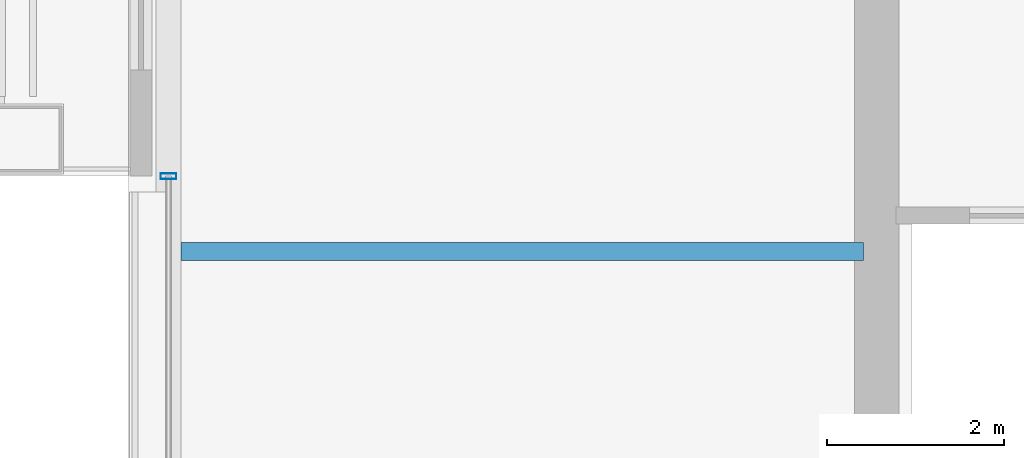
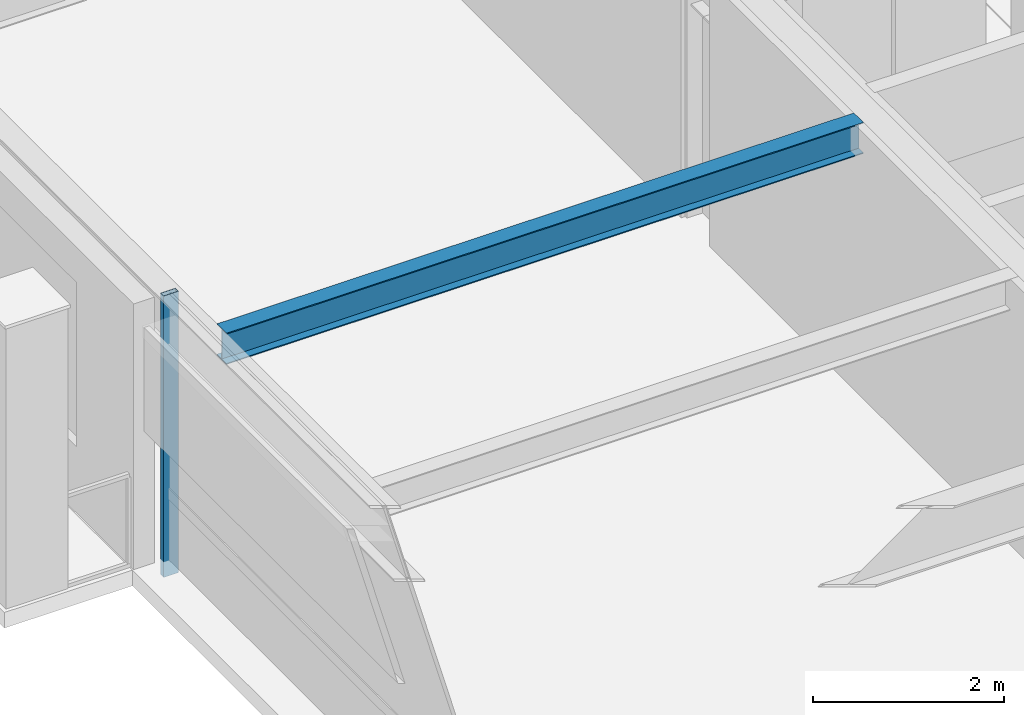
# One storey, part 7 of 32: 1 beam, 1 member, 1 element without a shape of its own.
"""IFC4 building model written with IfcOpenShell, lengths in metres."""

from ifc_helpers import new_model, si_unit, direction, frame, origin, origin_2d, place, context, subcontext, project, spatial, hollow_rectangle, i_section, extrude, material, layer, layer_set, material_profile, profile_set, type_object, element, aggregate, save


model = new_model("IFC4")

# Units and contexts
model_context = context("Model", 3, precision=1e-05, world=origin(), true_north=direction((0.0, 1.0)))
body_context = subcontext(model_context, "Body", "Model", "MODEL_VIEW")
ifc_project = project(units=[si_unit("LENGTHUNIT", "METRE"), si_unit("AREAUNIT", "SQUARE_METRE"), si_unit("VOLUMEUNIT", "CUBIC_METRE"), si_unit("PLANEANGLEUNIT", "RADIAN"), si_unit("MASSUNIT", "GRAM", prefix="KILO")], contexts=[model_context])

# Site, building, storey
site_placement = place(None, origin())
site = spatial("IfcSite", under=ifc_project, at=site_placement, CompositionType="ELEMENT")
building_placement = place(site_placement, origin())
building = spatial("IfcBuilding", under=site, at=building_placement, Name="Brelmoor Portico Tower", CompositionType="ELEMENT")
storey_placement = place(building_placement, frame((0.0, 0.0, 109.800048828125)))
storey = spatial("IfcBuildingStorey", under=building, at=storey_placement, Name="L28", CompositionType="ELEMENT", Elevation=109.800048828125)

# Beam
ifc_material_1 = material(Name="Steel Q355B", Category="steel")
ifc_material_profile_1 = material_profile(ifc_material_1, i_section(OverallWidth=0.199951171875, OverallDepth=0.39990234375, WebThickness=0.008056640625, FlangeThickness=0.012939453125, at=origin_2d()), Name="HN 400x200x8x13")
ifc_profile_set_1 = profile_set([ifc_material_profile_1], Name="Steel Q355B")
beam_type = type_object("IfcBeamType", Name="BM-JS-400", PredefinedType="JOIST", material=ifc_profile_set_1)
beam_placement = place(storey_placement, frame((-22.409912109375, -3.25, 3.199951171875), z_axis=(1.0, 0.0, 0.0), x_axis=(0.0, 1.0, 0.0)))
element("IfcBeam", 1, at=beam_placement, inside=storey, type_object=beam_type, Name="L28 Secondary Wing Joist JS-W06", PredefinedType="JOIST", context=body_context, shape_type="SweptSolid", body=[
    extrude(i_section(OverallWidth=0.199951171875, OverallDepth=0.39990234375, WebThickness=0.008056640625, FlangeThickness=0.012939453125, at=origin_2d()), origin(), (0.0, 0.0, 1.0), 7.7099609375),
])

# Curtain wall, member
ifc_material_2 = material(Name="Anodised Aluminium Alloy 6063-T6", Category="aluminium")
ifc_layer = layer(ifc_material_2, 0.179931640625)
ifc_layer_set = layer_set([ifc_layer], Name="Anodised Aluminium Alloy 6063-T6")
curtain_wall_type = type_object("IfcCurtainWallType", Name="CW-TOWER-Z2", PredefinedType="NOTDEFINED", material=ifc_layer_set)
curtain_wall_placement = place(storey_placement, origin())
curtain_wall = element("IfcCurtainWall", 2, at=curtain_wall_placement, inside=storey, type_object=curtain_wall_type, Name="L28 Curtain Wall CW-L28-3L-2", PredefinedType="NOTDEFINED")
ifc_material_profile_2 = material_profile(ifc_material_2, hollow_rectangle(XDim=0.06494140625, YDim=0.179931640625, WallThickness=0.00390625, at=origin_2d()), Name="ALU MULLION 65x180")
ifc_profile_set_2 = profile_set([ifc_material_profile_2], Name="Anodised Aluminium Alloy 6063-T6")
member_type = type_object("IfcMemberType", Name="MB-CW-MULL-180", PredefinedType="MULLION", material=ifc_profile_set_2)
member_placement = place(storey_placement, frame((-22.550048828125, -2.39990234375, -0.199951171875), z_axis=(0.0, 0.0, 1.0), x_axis=(0.0, 1.0, 0.0)))
member = element("IfcMember", 3, at=member_placement, type_object=member_type, Name="CW-L28-3L-2 Mullion 01", PredefinedType="MULLION", context=body_context, shape_type="SweptSolid", body=[
    extrude(hollow_rectangle(XDim=0.06494140625, YDim=0.179931640625, WallThickness=0.00390625, at=origin_2d()), origin(), (0.0, 0.0, 1.0), 3.599853515625),
])
aggregate(curtain_wall, [member])

save(model, "model.ifc")
